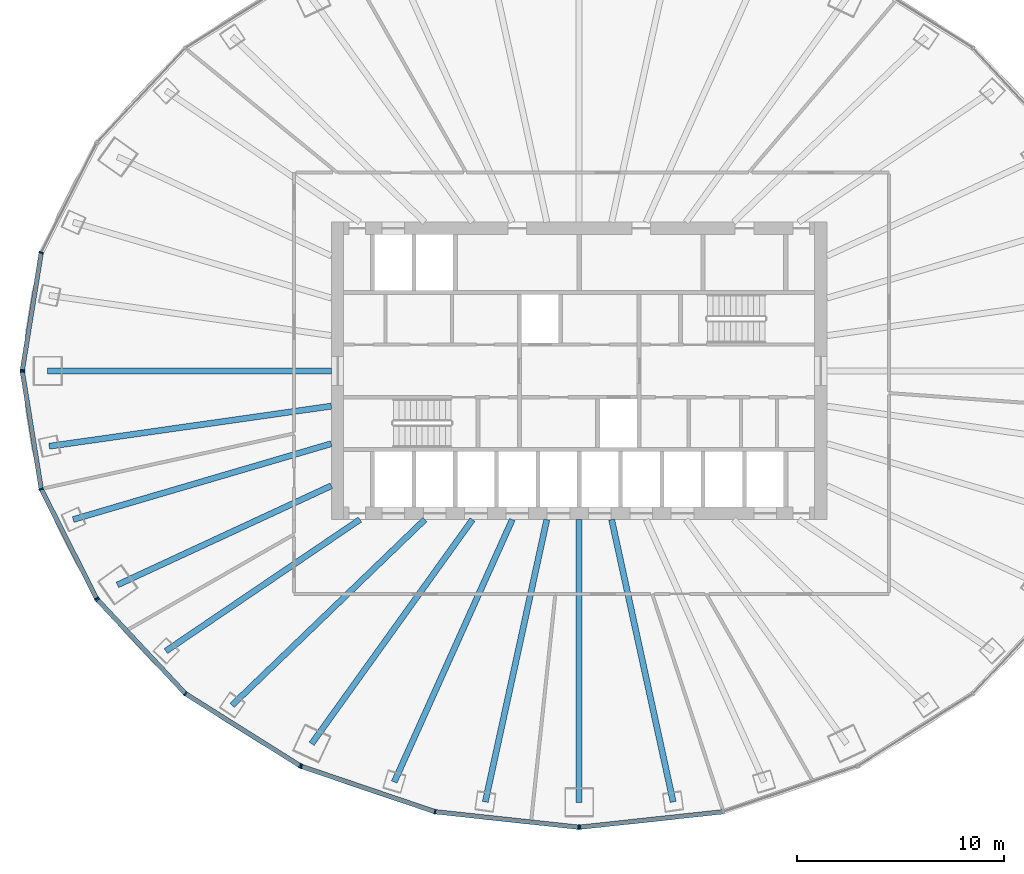
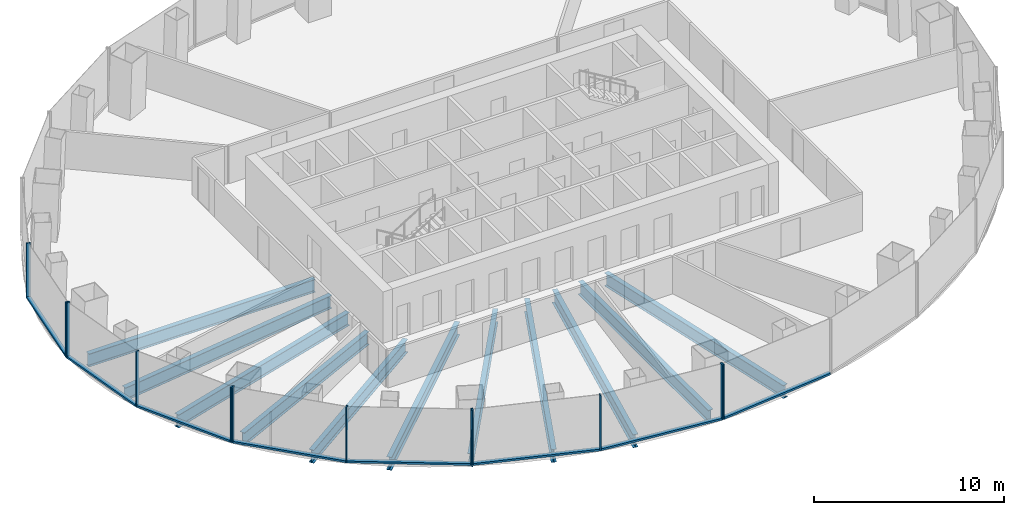
# One storey, part 2 of 11: 20 members, 11 beams, 5 elements without a shape of their own.
"""IFC4 building model written with IfcOpenShell, lengths in metres."""

from ifc_helpers import new_model, si_unit, direction, frame, origin, origin_2d, place, context, subcontext, project, spatial, rectangle, i_section, extrude, material, layer, layer_set, material_profile, profile_set, type_object, element, aggregate, save


model = new_model("IFC4")

# Units and contexts
model_context = context("Model", 3, precision=1e-05, world=origin(), true_north=direction((0.0, 1.0)))
body_context = subcontext(model_context, "Body", "Model", "MODEL_VIEW")
ifc_project = project(units=[si_unit("LENGTHUNIT", "METRE"), si_unit("AREAUNIT", "SQUARE_METRE"), si_unit("VOLUMEUNIT", "CUBIC_METRE"), si_unit("PLANEANGLEUNIT", "RADIAN"), si_unit("MASSUNIT", "GRAM", prefix="KILO")], contexts=[model_context])

# Site, building, storey
site_placement = place(None, origin())
site = spatial("IfcSite", under=ifc_project, at=site_placement, CompositionType="ELEMENT")
building_placement = place(site_placement, origin())
building = spatial("IfcBuilding", under=site, at=building_placement, Name="Siaravel Broadcast Tower", CompositionType="ELEMENT")
storey_placement = place(building_placement, frame((0.0, 0.0, 77.800048828125)))
storey = spatial("IfcBuildingStorey", under=building, at=storey_placement, Name="L18", CompositionType="ELEMENT", Elevation=77.800048828125)

# Beams
ifc_material_1 = material(Name="Steel S355", Category="steel")
ifc_material_profile_1 = material_profile(ifc_material_1, i_section(OverallWidth=0.291748046875, OverallDepth=0.8349609375, WebThickness=0.013916015625, FlangeThickness=0.018798828125, FilletRadius=0.017822265625, at=origin_2d()))
ifc_profile_set_1 = profile_set([ifc_material_profile_1], Name="Steel S355")
beam_type = type_object("IfcBeamType", Name="BM-UB 838x292x176", PredefinedType="BEAM", material=ifc_profile_set_1)
beam_1_placement = place(storey_placement, frame((-25.74951171875, 0.0, -0.567626953125), z_axis=(1.0, 0.0, 0.0), x_axis=(0.0, 1.0, 0.0)))
element("IfcBeam", 1, at=beam_1_placement, inside=storey, type_object=beam_type, Name="Radial beam RB19", PredefinedType="BEAM", context=body_context, shape_type="SweptSolid", body=[
    extrude(i_section(OverallWidth=0.291748046875, OverallDepth=0.8349609375, WebThickness=0.013916015625, FlangeThickness=0.018798828125, FilletRadius=0.017822265625, at=origin_2d()), origin(), (0.0, 0.0, 1.0), 13.74951171875),
])
beam_2_placement = place(storey_placement, frame((-25.65966796875, -3.650634765625, -0.567626953125), z_axis=(0.990030726, 0.140851556, 0.0), x_axis=(-0.140851556, 0.990030726, 0.0)))
element("IfcBeam", 2, at=beam_2_placement, inside=storey, type_object=beam_type, Name="Radial beam RB20", PredefinedType="BEAM", context=body_context, shape_type="SweptSolid", body=[
    extrude(i_section(OverallWidth=0.291748046875, OverallDepth=0.8349609375, WebThickness=0.013916015625, FlangeThickness=0.018798828125, FilletRadius=0.017822265625, at=origin_2d()), origin(), (0.0, 0.0, 1.0), 13.797119140625),
])
beam_3_placement = place(storey_placement, frame((-24.499267578125, -7.197021484375, -0.567626953125), z_axis=(0.959456468, 0.281856853, 0.0), x_axis=(-0.281856853, 0.959456468, 0.0)))
element("IfcBeam", 3, at=beam_3_placement, inside=storey, type_object=beam_type, Name="Radial beam RB21", PredefinedType="BEAM", context=body_context, shape_type="SweptSolid", body=[
    extrude(i_section(OverallWidth=0.291748046875, OverallDepth=0.8349609375, WebThickness=0.013916015625, FlangeThickness=0.018798828125, FilletRadius=0.017822265625, at=origin_2d()), origin(), (0.0, 0.0, 1.0), 13.02734375),
])
beam_4_placement = place(storey_placement, frame((-22.353271484375, -10.36279296875, -0.567626953125), z_axis=(0.907245503, 0.420601471, 0.0), x_axis=(-0.420601471, 0.907245503, 0.0)))
element("IfcBeam", 4, at=beam_4_placement, inside=storey, type_object=beam_type, Name="Radial beam RB22", PredefinedType="BEAM", context=body_context, shape_type="SweptSolid", body=[
    extrude(i_section(OverallWidth=0.291748046875, OverallDepth=0.8349609375, WebThickness=0.013916015625, FlangeThickness=0.018798828125, FilletRadius=0.017822265625, at=origin_2d()), origin(), (0.0, 0.0, 1.0), 11.411865234375),
])
beam_5_placement = place(storey_placement, frame((-20.009033203125, -13.564208984375, -0.567626953125), z_axis=(0.827726799, 0.561131309, 0.0), x_axis=(-0.561131309, 0.827726799, 0.0)))
element("IfcBeam", 5, at=beam_5_placement, inside=storey, type_object=beam_type, Name="Radial beam RB23", PredefinedType="BEAM", context=body_context, shape_type="SweptSolid", body=[
    extrude(i_section(OverallWidth=0.291748046875, OverallDepth=0.8349609375, WebThickness=0.013916015625, FlangeThickness=0.018798828125, FilletRadius=0.017822265625, at=origin_2d()), origin(), (0.0, 0.0, 1.0), 11.341796875),
])
beam_6_placement = place(storey_placement, frame((-16.805419921875, -16.188232421875, -0.567626953125), z_axis=(0.720202337, 0.693764076, 0.0), x_axis=(-0.693764076, 0.720202337, 0.0)))
element("IfcBeam", 6, at=beam_6_placement, inside=storey, type_object=beam_type, Name="Radial beam RB24", PredefinedType="BEAM", context=body_context, shape_type="SweptSolid", body=[
    extrude(i_section(OverallWidth=0.291748046875, OverallDepth=0.8349609375, WebThickness=0.013916015625, FlangeThickness=0.018798828125, FilletRadius=0.017822265625, at=origin_2d()), origin(), (0.0, 0.0, 1.0), 12.955810546875),
])
beam_7_placement = place(storey_placement, frame((-12.95458984375, -18.052001953125, -0.567626953125), z_axis=(0.583028018, 0.812452048, 0.0), x_axis=(-0.812452048, 0.583028018, 0.0)))
element("IfcBeam", 7, at=beam_7_placement, inside=storey, type_object=beam_type, Name="Radial beam RB25", PredefinedType="BEAM", context=body_context, shape_type="SweptSolid", body=[
    extrude(i_section(OverallWidth=0.291748046875, OverallDepth=0.8349609375, WebThickness=0.013916015625, FlangeThickness=0.018798828125, FilletRadius=0.017822265625, at=origin_2d()), origin(), (0.0, 0.0, 1.0), 13.357177734375),
])
beam_8_placement = place(storey_placement, frame((-8.95458984375, -19.89990234375, -0.567626953125), z_axis=(0.41034208, 0.911931673, 0.0), x_axis=(-0.911931673, 0.41034208, 0.0)))
element("IfcBeam", 8, at=beam_8_placement, inside=storey, type_object=beam_type, Name="Radial beam RB26", PredefinedType="BEAM", context=body_context, shape_type="SweptSolid", body=[
    extrude(i_section(OverallWidth=0.291748046875, OverallDepth=0.8349609375, WebThickness=0.013916015625, FlangeThickness=0.018798828125, FilletRadius=0.017822265625, at=origin_2d()), origin(), (0.0, 0.0, 1.0), 13.926513671875),
])
beam_9_placement = place(storey_placement, frame((-4.548095703125, -20.866943359375, -0.567626953125), z_axis=(0.212953511, 0.977062333, 0.0), x_axis=(-0.977062333, 0.212953511, 0.0)))
element("IfcBeam", 9, at=beam_9_placement, inside=storey, type_object=beam_type, Name="Radial beam RB27", PredefinedType="BEAM", context=body_context, shape_type="SweptSolid", body=[
    extrude(i_section(OverallWidth=0.291748046875, OverallDepth=0.8349609375, WebThickness=0.013916015625, FlangeThickness=0.018798828125, FilletRadius=0.017822265625, at=origin_2d()), origin(), (0.0, 0.0, 1.0), 13.98779296875),
])
beam_10_placement = place(storey_placement, frame((0.0, -20.892822265625, -0.567626953125), z_axis=(0.0, 1.0, 0.0), x_axis=(-1.0, 0.0, 0.0)))
element("IfcBeam", 10, at=beam_10_placement, inside=storey, type_object=beam_type, Name="Radial beam RB28", PredefinedType="BEAM", context=body_context, shape_type="SweptSolid", body=[
    extrude(i_section(OverallWidth=0.291748046875, OverallDepth=0.8349609375, WebThickness=0.013916015625, FlangeThickness=0.018798828125, FilletRadius=0.017822265625, at=origin_2d()), origin(), (0.0, 0.0, 1.0), 13.69287109375),
])
beam_11_placement = place(storey_placement, frame((4.548095703125, -20.866943359375, -0.567626953125), z_axis=(-0.212953511, 0.977062333, 0.0), x_axis=(-0.977062333, -0.212953511, 0.0)))
element("IfcBeam", 11, at=beam_11_placement, inside=storey, type_object=beam_type, Name="Radial beam RB29", PredefinedType="BEAM", context=body_context, shape_type="SweptSolid", body=[
    extrude(i_section(OverallWidth=0.291748046875, OverallDepth=0.8349609375, WebThickness=0.013916015625, FlangeThickness=0.018798828125, FilletRadius=0.017822265625, at=origin_2d()), origin(), (0.0, 0.0, 1.0), 13.98779296875),
])

# Curtain wall, members
ifc_material_2 = material(Name="Aluminium 6063-T6", Category="aluminium")
ifc_layer = layer(ifc_material_2, 0.219970703125)
ifc_layer_set = layer_set([ifc_layer], Name="Aluminium 6063-T6")
curtain_wall_type = type_object("IfcCurtainWallType", Name="Unitised curtain wall, zone 1", PredefinedType="NOTDEFINED", material=ifc_layer_set)
curtain_wall_1_placement = place(storey_placement, origin())
curtain_wall_1 = element("IfcCurtainWall", 12, at=curtain_wall_1_placement, inside=storey, type_object=curtain_wall_type, Name="L18 Unitised curtain wall, zone 1 06", PredefinedType="NOTDEFINED")
ifc_material_profile_2 = material_profile(ifc_material_2, rectangle(XDim=0.219970703125, YDim=0.070068359375, at=origin_2d()))
ifc_profile_set_2 = profile_set([ifc_material_profile_2], Name="Aluminium 6063-T6")
member_type_1 = type_object("IfcMemberType", Name="CW-Z1 mullion", PredefinedType="MULLION", material=ifc_profile_set_2)
member_1_placement = place(storey_placement, frame((-26.044189453125, 5.72119140625, 0.0), z_axis=(0.0, 0.0, 1.0), x_axis=(0.951177254, -0.308645154, 0.0)))
member_1 = element("IfcMember", 13, at=member_1_placement, type_object=member_type_1, Name="CW-Z1 mullion 2", PredefinedType="MULLION", context=body_context, shape_type="SweptSolid", body=[
    extrude(rectangle(XDim=0.219970703125, YDim=0.070068359375, at=origin_2d()), origin(), (0.0, 0.0, 1.0), 3.550048828125),
])
member_2_placement = place(storey_placement, frame((-26.9580078125, 0.03466796875, 0.0), z_axis=(0.0, 0.0, 1.0), x_axis=(0.987329186, -0.158685468, 0.0)))
member_2 = element("IfcMember", 14, at=member_2_placement, type_object=member_type_1, Name="CW-Z1 mullion 3", PredefinedType="MULLION", context=body_context, shape_type="SweptSolid", body=[
    extrude(rectangle(XDim=0.219970703125, YDim=0.070068359375, at=origin_2d()), origin(), (0.0, 0.0, 1.0), 3.550048828125),
])

curtain_wall_2_placement = place(storey_placement, origin())
curtain_wall_2 = element("IfcCurtainWall", 15, at=curtain_wall_2_placement, inside=storey, type_object=curtain_wall_type, Name="L18 Unitised curtain wall, zone 1 07", PredefinedType="NOTDEFINED")
member_3_placement = place(storey_placement, frame((-26.9580078125, -0.03466796875, 0.0), z_axis=(0.0, 0.0, 1.0), x_axis=(0.987329186, 0.158685468, 0.0)))
member_3 = element("IfcMember", 16, at=member_3_placement, type_object=member_type_1, Name="CW-Z1 mullion 1", PredefinedType="MULLION", context=body_context, shape_type="SweptSolid", body=[
    extrude(rectangle(XDim=0.219970703125, YDim=0.070068359375, at=origin_2d()), origin(), (0.0, 0.0, 1.0), 3.550048828125),
])
member_4_placement = place(storey_placement, frame((-26.044189453125, -5.72119140625, 0.0), z_axis=(0.0, 0.0, 1.0), x_axis=(0.951177254, 0.308645154, 0.0)))
member_4 = element("IfcMember", 17, at=member_4_placement, type_object=member_type_1, Name="CW-Z1 mullion 2", PredefinedType="MULLION", context=body_context, shape_type="SweptSolid", body=[
    extrude(rectangle(XDim=0.219970703125, YDim=0.070068359375, at=origin_2d()), origin(), (0.0, 0.0, 1.0), 3.550048828125),
])
member_5_placement = place(storey_placement, frame((-23.364501953125, -11.020263671875, 0.0), z_axis=(0.0, 0.0, 1.0), x_axis=(0.892392184, 0.451260668, 0.0)))
member_5 = element("IfcMember", 18, at=member_5_placement, type_object=member_type_1, Name="CW-Z1 mullion 3", PredefinedType="MULLION", context=body_context, shape_type="SweptSolid", body=[
    extrude(rectangle(XDim=0.219970703125, YDim=0.070068359375, at=origin_2d()), origin(), (0.0, 0.0, 1.0), 3.550048828125),
])

curtain_wall_3_placement = place(storey_placement, origin())
curtain_wall_3 = element("IfcCurtainWall", 19, at=curtain_wall_3_placement, inside=storey, type_object=curtain_wall_type, Name="L18 Unitised curtain wall, zone 1 08", PredefinedType="NOTDEFINED")
member_6_placement = place(storey_placement, frame((-23.32470703125, -11.076904296875, 0.0), z_axis=(0.0, 0.0, 1.0), x_axis=(0.729805583, 0.683654746, 0.0)))
member_6 = element("IfcMember", 20, at=member_6_placement, type_object=member_type_1, Name="CW-Z1 mullion 1", PredefinedType="MULLION", context=body_context, shape_type="SweptSolid", body=[
    extrude(rectangle(XDim=0.219970703125, YDim=0.070068359375, at=origin_2d()), origin(), (0.0, 0.0, 1.0), 3.550048828125),
])
member_7_placement = place(storey_placement, frame((-19.0625, -15.627197265625, 0.0), z_axis=(0.0, 0.0, 1.0), x_axis=(0.63621907, 0.771508454, 0.0)))
member_7 = element("IfcMember", 21, at=member_7_placement, type_object=member_type_1, Name="CW-Z1 mullion 2", PredefinedType="MULLION", context=body_context, shape_type="SweptSolid", body=[
    extrude(rectangle(XDim=0.219970703125, YDim=0.070068359375, at=origin_2d()), origin(), (0.0, 0.0, 1.0), 3.550048828125),
])
member_8_placement = place(storey_placement, frame((-13.5078125, -19.118408203125, 0.0), z_axis=(0.0, 0.0, 1.0), x_axis=(0.532149761, 0.846650242, 0.0)))
member_8 = element("IfcMember", 22, at=member_8_placement, type_object=member_type_1, Name="CW-Z1 mullion 3", PredefinedType="MULLION", context=body_context, shape_type="SweptSolid", body=[
    extrude(rectangle(XDim=0.219970703125, YDim=0.070068359375, at=origin_2d()), origin(), (0.0, 0.0, 1.0), 3.550048828125),
])

curtain_wall_4_placement = place(storey_placement, origin())
curtain_wall_4 = element("IfcCurtainWall", 23, at=curtain_wall_4_placement, inside=storey, type_object=curtain_wall_type, Name="L18 Unitised curtain wall, zone 1 09", PredefinedType="NOTDEFINED")
member_9_placement = place(storey_placement, frame((-13.445068359375, -19.148193359375, 0.0), z_axis=(0.0, 0.0, 1.0), x_axis=(0.321301105, 0.946977085, 0.0)))
member_9 = element("IfcMember", 24, at=member_9_placement, type_object=member_type_1, Name="CW-Z1 mullion 1", PredefinedType="MULLION", context=body_context, shape_type="SweptSolid", body=[
    extrude(rectangle(XDim=0.219970703125, YDim=0.070068359375, at=origin_2d()), origin(), (0.0, 0.0, 1.0), 3.550048828125),
])
member_10_placement = place(storey_placement, frame((-6.9765625, -21.343017578125, 0.0), z_axis=(0.0, 0.0, 1.0), x_axis=(0.21555841, 0.976490948, 0.0)))
member_10 = element("IfcMember", 25, at=member_10_placement, type_object=member_type_1, Name="CW-Z1 mullion 2", PredefinedType="MULLION", context=body_context, shape_type="SweptSolid", body=[
    extrude(rectangle(XDim=0.219970703125, YDim=0.070068359375, at=origin_2d()), origin(), (0.0, 0.0, 1.0), 3.550048828125),
])
member_11_placement = place(storey_placement, frame((-0.034912109375, -22.091552734375, 0.0), z_axis=(0.0, 0.0, 1.0), x_axis=(0.107217679, 0.99423557, 0.0)))
member_11 = element("IfcMember", 26, at=member_11_placement, type_object=member_type_1, Name="CW-Z1 mullion 3", PredefinedType="MULLION", context=body_context, shape_type="SweptSolid", body=[
    extrude(rectangle(XDim=0.219970703125, YDim=0.070068359375, at=origin_2d()), origin(), (0.0, 0.0, 1.0), 3.550048828125),
])

# Curtain wall, member
curtain_wall_5_placement = place(storey_placement, origin())
curtain_wall_5 = element("IfcCurtainWall", 27, at=curtain_wall_5_placement, inside=storey, type_object=curtain_wall_type, Name="L18 Unitised curtain wall, zone 1 10", PredefinedType="NOTDEFINED")
member_12_placement = place(storey_placement, frame((0.034912109375, -22.091552734375, 0.0), z_axis=(0.0, 0.0, 1.0), x_axis=(-0.107217679, 0.99423557, 0.0)))
member_12 = element("IfcMember", 28, at=member_12_placement, type_object=member_type_1, Name="CW-Z1 mullion 1", PredefinedType="MULLION", context=body_context, shape_type="SweptSolid", body=[
    extrude(rectangle(XDim=0.219970703125, YDim=0.070068359375, at=origin_2d()), origin(), (0.0, 0.0, 1.0), 3.550048828125),
])

# Member
ifc_material_profile_3 = material_profile(ifc_material_2, rectangle(XDim=0.219970703125, YDim=0.1201171875, at=origin_2d()))
ifc_profile_set_3 = profile_set([ifc_material_profile_3], Name="Aluminium 6063-T6")
member_type_2 = type_object("IfcMemberType", Name="CW-Z1 transom", PredefinedType="USERDEFINED", material=ifc_profile_set_3)
member_13_placement = place(storey_placement, frame((-26.049560546875, 5.686767578125, 0.06005859375), z_axis=(-0.158676602, -0.987330611, 0.0), x_axis=(0.987330611, -0.158676602, 0.0)))
member_13 = element("IfcMember", 29, at=member_13_placement, type_object=member_type_2, Name="CW-Z1 transom 2", ObjectType="TRANSOM", PredefinedType="USERDEFINED", context=body_context, shape_type="SweptSolid", body=[
    extrude(rectangle(XDim=0.219970703125, YDim=0.1201171875, at=origin_2d()), origin(), (0.0, 0.0, 1.0), 5.689697265625),
])

aggregate(curtain_wall_1, [member_1, member_2, member_13])

member_14_placement = place(storey_placement, frame((-26.952392578125, -0.069091796875, 0.06005859375), z_axis=(0.158676602, -0.987330611, 0.0), x_axis=(0.987330611, 0.158676602, 0.0)))
member_14 = element("IfcMember", 30, at=member_14_placement, type_object=member_type_2, Name="CW-Z1 transom 1", ObjectType="TRANSOM", PredefinedType="USERDEFINED", context=body_context, shape_type="SweptSolid", body=[
    extrude(rectangle(XDim=0.219970703125, YDim=0.1201171875, at=origin_2d()), origin(), (0.0, 0.0, 1.0), 5.689697265625),
])

member_15_placement = place(storey_placement, frame((-26.0283203125, -5.75244140625, 0.06005859375), z_axis=(0.451253077, -0.892396022, 0.0), x_axis=(0.892396022, 0.451253077, 0.0)))
member_15 = element("IfcMember", 31, at=member_15_placement, type_object=member_type_2, Name="CW-Z1 transom 2", ObjectType="TRANSOM", PredefinedType="USERDEFINED", context=body_context, shape_type="SweptSolid", body=[
    extrude(rectangle(XDim=0.219970703125, YDim=0.1201171875, at=origin_2d()), origin(), (0.0, 0.0, 1.0), 5.867919921875),
])

aggregate(curtain_wall_2, [member_3, member_4, member_5, member_14, member_15])

member_16_placement = place(storey_placement, frame((-23.30078125, -11.1025390625, 0.06005859375), z_axis=(0.683640708, -0.729818733, 0.0), x_axis=(0.729818733, 0.683640708, 0.0)))
member_16 = element("IfcMember", 32, at=member_16_placement, type_object=member_type_2, Name="CW-Z1 transom 1", ObjectType="TRANSOM", PredefinedType="USERDEFINED", context=body_context, shape_type="SweptSolid", body=[
    extrude(rectangle(XDim=0.219970703125, YDim=0.1201171875, at=origin_2d()), origin(), (0.0, 0.0, 1.0), 6.16455078125),
])

member_17_placement = place(storey_placement, frame((-19.03271484375, -15.645751953125, 0.06005859375), z_axis=(0.846662211, -0.532130717, 0.0), x_axis=(0.532130717, 0.846662211, 0.0)))
member_17 = element("IfcMember", 33, at=member_17_placement, type_object=member_type_2, Name="CW-Z1 transom 2", ObjectType="TRANSOM", PredefinedType="USERDEFINED", context=body_context, shape_type="SweptSolid", body=[
    extrude(rectangle(XDim=0.219970703125, YDim=0.1201171875, at=origin_2d()), origin(), (0.0, 0.0, 1.0), 6.49072265625),
])

aggregate(curtain_wall_3, [member_6, member_7, member_8, member_16, member_17])

member_18_placement = place(storey_placement, frame((-13.411865234375, -19.159423828125, 0.06005859375), z_axis=(0.946972422, -0.321314849, 0.0), x_axis=(0.321314849, 0.946972422, 0.0)))
member_18 = element("IfcMember", 34, at=member_18_placement, type_object=member_type_2, Name="CW-Z1 transom 1", ObjectType="TRANSOM", PredefinedType="USERDEFINED", context=body_context, shape_type="SweptSolid", body=[
    extrude(rectangle(XDim=0.219970703125, YDim=0.1201171875, at=origin_2d()), origin(), (0.0, 0.0, 1.0), 6.7607421875),
])

member_19_placement = place(storey_placement, frame((-6.941650390625, -21.3466796875, 0.06005859375), z_axis=(0.99423354, -0.107236501, 0.0), x_axis=(0.107236501, 0.99423354, 0.0)))
member_19 = element("IfcMember", 35, at=member_19_placement, type_object=member_type_2, Name="CW-Z1 transom 2", ObjectType="TRANSOM", PredefinedType="USERDEFINED", context=body_context, shape_type="SweptSolid", body=[
    extrude(rectangle(XDim=0.219970703125, YDim=0.1201171875, at=origin_2d()), origin(), (0.0, 0.0, 1.0), 6.911865234375),
])

aggregate(curtain_wall_4, [member_9, member_10, member_11, member_18, member_19])

member_20_placement = place(storey_placement, frame((0.069580078125, -22.087890625, 0.06005859375), z_axis=(0.99423354, 0.107236501, 0.0), x_axis=(-0.107236501, 0.99423354, 0.0)))
member_20 = element("IfcMember", 36, at=member_20_placement, type_object=member_type_2, Name="CW-Z1 transom 1", ObjectType="TRANSOM", PredefinedType="USERDEFINED", context=body_context, shape_type="SweptSolid", body=[
    extrude(rectangle(XDim=0.219970703125, YDim=0.1201171875, at=origin_2d()), origin(), (0.0, 0.0, 1.0), 6.911865234375),
])

aggregate(curtain_wall_5, [member_12, member_20])

save(model, "model.ifc")
